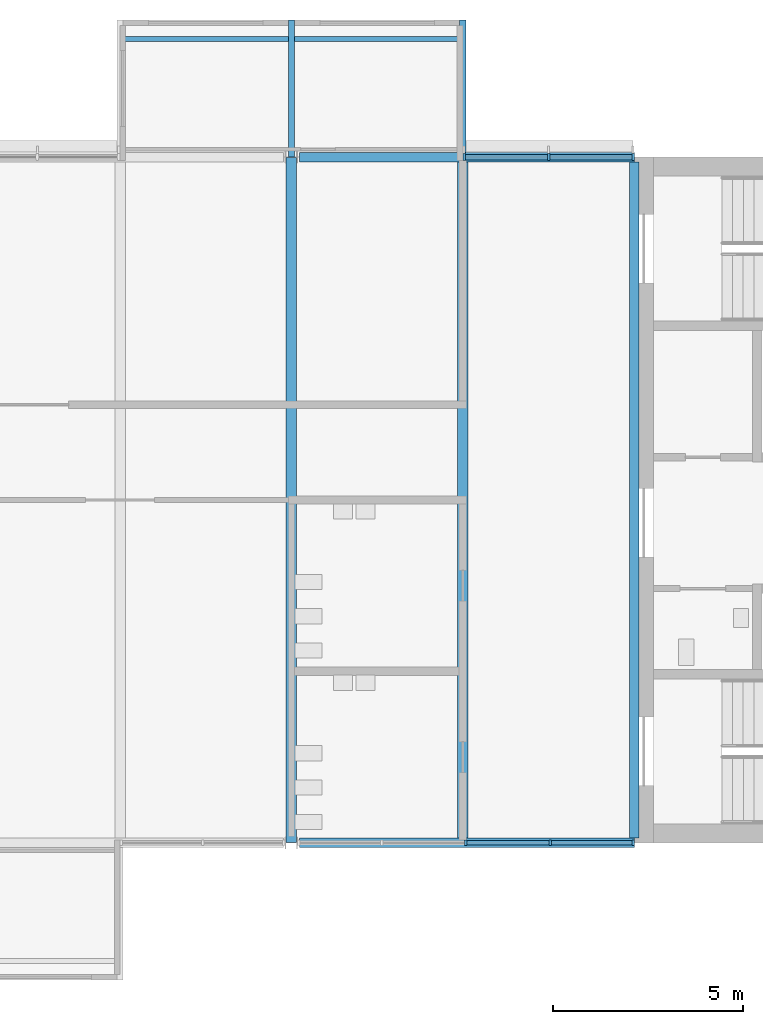
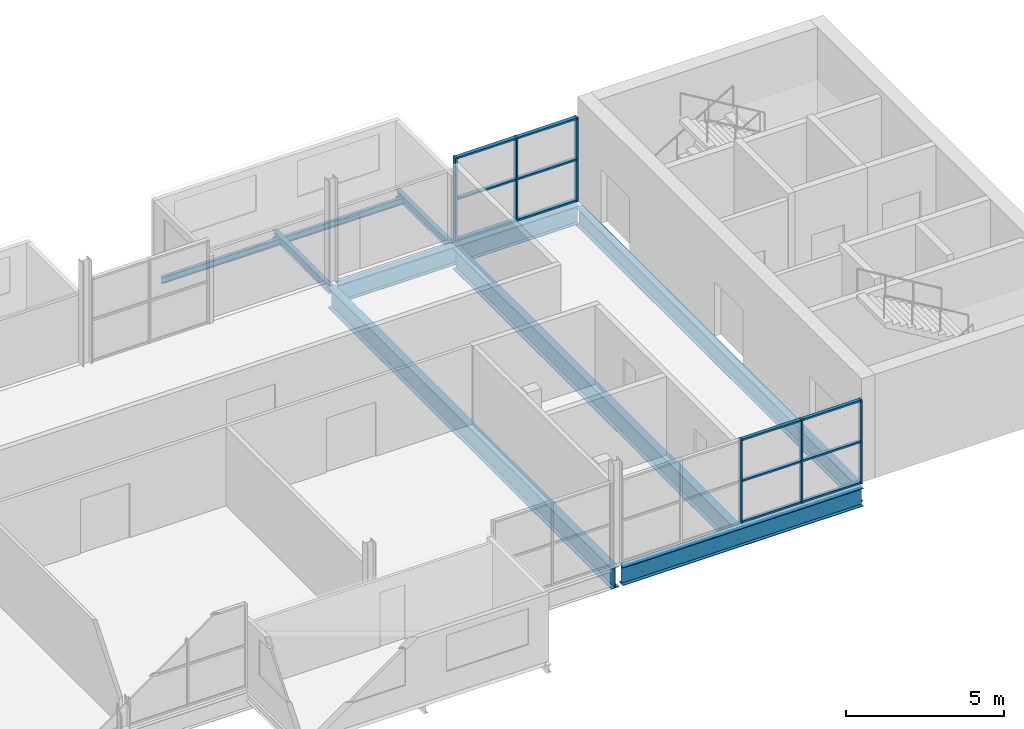
# One storey, part 3 of 10: 18 members, 9 beams, 2 elements without a shape of their own.
"""IFC4 building model written with IfcOpenShell, lengths in metres."""

from ifc_helpers import new_model, si_unit, direction, frame, origin, origin_2d, place, context, subcontext, project, spatial, rectangle, i_section, extrude, material, layer, layer_set, material_profile, profile_set, type_object, element, aggregate, save


model = new_model("IFC4")

# Units and contexts
model_context = context("Model", 3, precision=1e-05, world=origin(), true_north=direction((0.0, 1.0)))
body_context = subcontext(model_context, "Body", "Model", "MODEL_VIEW")
ifc_project = project(units=[si_unit("LENGTHUNIT", "METRE"), si_unit("AREAUNIT", "SQUARE_METRE"), si_unit("VOLUMEUNIT", "CUBIC_METRE"), si_unit("PLANEANGLEUNIT", "RADIAN"), si_unit("MASSUNIT", "GRAM", prefix="KILO")], contexts=[model_context])

# Site, building, storey
site_placement = place(None, origin())
site = spatial("IfcSite", under=ifc_project, at=site_placement, CompositionType="ELEMENT")
building_placement = place(site_placement, origin())
building = spatial("IfcBuilding", under=site, at=building_placement, Name="Corbel Yard City Hall", CompositionType="ELEMENT")
storey_placement = place(building_placement, frame((0.0, 0.0, 51.199951171875)))
storey = spatial("IfcBuildingStorey", under=building, at=storey_placement, Name="L12", CompositionType="ELEMENT", Elevation=51.199951171875)

# Beams
ifc_material_1 = material(Name="Steel Grade 350", Category="steel")
ifc_material_profile_1 = material_profile(ifc_material_1, i_section(OverallWidth=0.25, OverallDepth=0.699951171875, WebThickness=0.010009765625, FlangeThickness=0.02001953125, at=origin_2d()), Name="700WB130")
ifc_profile_set_1 = profile_set([ifc_material_profile_1], Name="Steel Grade 350")
beam_type_1 = type_object("IfcBeamType", Name="Edge beam 700WB130", PredefinedType="BEAM", material=ifc_profile_set_1)
for number, where, z_axis, x_axis, name in (
    (1, (36.20703125, 99.0, -0.5), (1.0, 0.0, 0.0), (0.0, 1.0, 0.0), "Edge beam 700WB130 EB9 L12tower"),
    (2, (36.20703125, 117.0, -0.5), (1.0, 0.0, 0.0), (0.0, 1.0, 0.0), "Edge beam 700WB130 EB9 L12tower"),
):
    element("IfcBeam", number, at=place(storey_placement, frame(where, z_axis=z_axis, x_axis=x_axis)), inside=storey, type_object=beam_type_1, Name=name, PredefinedType="BEAM", context=body_context, shape_type="SweptSolid", body=[
        extrude(i_section(OverallWidth=0.25, OverallDepth=0.699951171875, WebThickness=0.010009765625, FlangeThickness=0.02001953125, at=origin_2d()), origin(), (0.0, 0.0, 1.0), 8.79296875),
    ])
ifc_material_profile_2 = material_profile(ifc_material_1, i_section(OverallWidth=0.27490234375, OverallDepth=0.800048828125, WebThickness=0.010009765625, FlangeThickness=0.02001953125, at=origin_2d()), Name="800WB146")
ifc_profile_set_2 = profile_set([ifc_material_profile_2], Name="Steel Grade 350")
beam_type_2 = type_object("IfcBeamType", Name="Long-span beam 800WB146", PredefinedType="BEAM", material=ifc_profile_set_2)
beam_1_placement = place(storey_placement, frame((36.0, 99.012451171875, -0.550048828125), z_axis=(0.0, 1.0, 0.0), x_axis=(-1.0, 0.0, 0.0)))
element("IfcBeam", 3, at=beam_1_placement, inside=storey, type_object=beam_type_2, Name="Long-span beam 800WB146 SB8 L12tower", PredefinedType="BEAM", context=body_context, shape_type="SweptSolid", body=[
    extrude(i_section(OverallWidth=0.27490234375, OverallDepth=0.800048828125, WebThickness=0.010009765625, FlangeThickness=0.02001953125, at=origin_2d()), origin(), (0.0, 0.0, 1.0), 17.97509765625),
])
ifc_material_profile_3 = material_profile(ifc_material_1, i_section(OverallWidth=0.25, OverallDepth=0.7099609375, WebThickness=0.010009765625, FlangeThickness=0.02490234375, at=origin_2d()), Name="700WB150")
ifc_profile_set_3 = profile_set([ifc_material_profile_3], Name="Steel Grade 350")
beam_type_3 = type_object("IfcBeamType", Name="Long-span edge beam 700WB150", PredefinedType="BEAM", material=ifc_profile_set_3)
beam_2_placement = place(storey_placement, frame((45.0, 99.125, -0.5048828125), z_axis=(0.0, 1.0, 0.0), x_axis=(-1.0, 0.0, 0.0)))
element("IfcBeam", 4, at=beam_2_placement, inside=storey, type_object=beam_type_3, Name="Long-span edge beam 700WB150 EB8 L12tower", PredefinedType="BEAM", context=body_context, shape_type="SweptSolid", body=[
    extrude(i_section(OverallWidth=0.25, OverallDepth=0.7099609375, WebThickness=0.010009765625, FlangeThickness=0.02490234375, at=origin_2d()), origin(), (0.0, 0.0, 1.0), 17.75),
])
ifc_material_profile_4 = material_profile(ifc_material_1, i_section(OverallWidth=0.27490234375, OverallDepth=0.800048828125, WebThickness=0.010009765625, FlangeThickness=0.02001953125, at=origin_2d()), Name="800WB146")
ifc_profile_set_4 = profile_set([ifc_material_profile_4], Name="Steel Grade 350")
beam_type_4 = type_object("IfcBeamType", Name="Long-span secondary beam 800WB146", PredefinedType="JOIST", material=ifc_profile_set_4)
beam_3_placement = place(storey_placement, frame((40.5, 99.125, -0.550048828125), z_axis=(0.0, 1.0, 0.0), x_axis=(-1.0, 0.0, 0.0)))
element("IfcBeam", 5, at=beam_3_placement, inside=storey, type_object=beam_type_4, Name="Long-span secondary beam 800WB146 SB7 L12tower", PredefinedType="JOIST", context=body_context, shape_type="SweptSolid", body=[
    extrude(i_section(OverallWidth=0.27490234375, OverallDepth=0.800048828125, WebThickness=0.010009765625, FlangeThickness=0.02001953125, at=origin_2d()), origin(), (0.0, 0.0, 1.0), 17.75),
])

# Curtain wall, members
ifc_material_2 = material(Name="Aluminium extrusion", Category="aluminium")
ifc_layer_1 = layer(ifc_material_2, 0.14990234375)
ifc_layer_set_1 = layer_set([ifc_layer_1], Name="Aluminium extrusion")
curtain_wall_type_1 = type_object("IfcCurtainWallType", Name="CW2", PredefinedType="USERDEFINED", material=ifc_layer_set_1)
curtain_wall_1_placement = place(storey_placement, origin())
curtain_wall_1 = element("IfcCurtainWall", 6, at=curtain_wall_1_placement, inside=storey, type_object=curtain_wall_type_1, Name="Curtain wall CW2 L12", ObjectType="CURTAIN WALL", PredefinedType="USERDEFINED")
ifc_material_profile_5 = material_profile(ifc_material_2, rectangle(XDim=0.14990234375, YDim=0.06494140625, at=origin_2d()), Name="150x65")
ifc_profile_set_5 = profile_set([ifc_material_profile_5], Name="Aluminium extrusion")
member_type_1 = type_object("IfcMemberType", Name="ML2", PredefinedType="MULLION", material=ifc_profile_set_5)
member_1_placement = place(storey_placement, frame((40.581787109375, 99.0, 0.0), z_axis=(0.0, 0.0, 1.0), x_axis=(0.0, 1.0, 0.0)))
member_1 = element("IfcMember", 7, at=member_1_placement, type_object=member_type_1, Name="CW2 mullion 3", PredefinedType="MULLION", context=body_context, shape_type="SweptSolid", body=[
    extrude(rectangle(XDim=0.14990234375, YDim=0.06494140625, at=origin_2d()), origin(), (0.0, 0.0, 1.0), 3.238037109375),
])
member_2_placement = place(storey_placement, frame((42.790771484375, 99.0, 0.0), z_axis=(0.0, 0.0, 1.0), x_axis=(0.0, 1.0, 0.0)))
member_2 = element("IfcMember", 8, at=member_2_placement, type_object=member_type_1, Name="CW2 mullion 4", PredefinedType="MULLION", context=body_context, shape_type="SweptSolid", body=[
    extrude(rectangle(XDim=0.14990234375, YDim=0.06494140625, at=origin_2d()), origin(), (0.0, 0.0, 1.0), 3.238037109375),
])
member_3_placement = place(storey_placement, frame((44.967529296875, 99.0, 0.0), z_axis=(0.0, 0.0, 1.0), x_axis=(0.0, 1.0, 0.0)))
member_3 = element("IfcMember", 9, at=member_3_placement, type_object=member_type_1, Name="CW2 mullion 5", PredefinedType="MULLION", context=body_context, shape_type="SweptSolid", body=[
    extrude(rectangle(XDim=0.14990234375, YDim=0.06494140625, at=origin_2d()), origin(), (0.0, 0.0, 1.0), 3.238037109375),
])

ifc_layer_2 = layer(ifc_material_2, 0.179931640625)
ifc_layer_set_2 = layer_set([ifc_layer_2], Name="Aluminium extrusion")
curtain_wall_type_2 = type_object("IfcCurtainWallType", Name="CW6", PredefinedType="USERDEFINED", material=ifc_layer_set_2)
curtain_wall_2_placement = place(storey_placement, origin())
curtain_wall_2 = element("IfcCurtainWall", 10, at=curtain_wall_2_placement, inside=storey, type_object=curtain_wall_type_2, Name="Curtain wall CW6 L12", ObjectType="CURTAIN WALL", PredefinedType="USERDEFINED")
ifc_material_profile_6 = material_profile(ifc_material_2, rectangle(XDim=0.179931640625, YDim=0.06494140625, at=origin_2d()), Name="180x65")
ifc_profile_set_6 = profile_set([ifc_material_profile_6], Name="Aluminium extrusion")
member_type_2 = type_object("IfcMemberType", Name="ML6", PredefinedType="MULLION", material=ifc_profile_set_6)
member_4_placement = place(storey_placement, frame((40.532470703125, 117.0, 0.0), z_axis=(0.0, 0.0, 1.0), x_axis=(0.0, 1.0, 0.0)))
member_4 = element("IfcMember", 11, at=member_4_placement, type_object=member_type_2, Name="CW6 mullion 1", PredefinedType="MULLION", context=body_context, shape_type="SweptSolid", body=[
    extrude(rectangle(XDim=0.179931640625, YDim=0.06494140625, at=origin_2d()), origin(), (0.0, 0.0, 1.0), 3.238037109375),
])
member_5_placement = place(storey_placement, frame((42.75, 117.0, 0.0), z_axis=(0.0, 0.0, 1.0), x_axis=(0.0, 1.0, 0.0)))
member_5 = element("IfcMember", 12, at=member_5_placement, type_object=member_type_2, Name="CW6 mullion 2", PredefinedType="MULLION", context=body_context, shape_type="SweptSolid", body=[
    extrude(rectangle(XDim=0.179931640625, YDim=0.06494140625, at=origin_2d()), origin(), (0.0, 0.0, 1.0), 3.238037109375),
])
member_6_placement = place(storey_placement, frame((44.967529296875, 117.0, 0.0), z_axis=(0.0, 0.0, 1.0), x_axis=(0.0, 1.0, 0.0)))
member_6 = element("IfcMember", 13, at=member_6_placement, type_object=member_type_2, Name="CW6 mullion 3", PredefinedType="MULLION", context=body_context, shape_type="SweptSolid", body=[
    extrude(rectangle(XDim=0.179931640625, YDim=0.06494140625, at=origin_2d()), origin(), (0.0, 0.0, 1.0), 3.238037109375),
])

# Beams
ifc_material_3 = material(Name="Steel Grade 300 (300 MPa yield)", Category="steel")
ifc_material_profile_7 = material_profile(ifc_material_3, i_section(OverallWidth=0.166015625, OverallDepth=0.306884765625, WebThickness=0.006591796875, FlangeThickness=0.01171875, at=origin_2d()), Name="310UB46.2")
ifc_profile_set_7 = profile_set([ifc_material_profile_7], Name="Steel Grade 300 (300 MPa yield)")
beam_type_5 = type_object("IfcBeamType", Name="Pod stub beam 310UB46.2", PredefinedType="BEAM", material=ifc_profile_set_7)
beam_4_placement = place(storey_placement, frame((36.0, 117.0078125, -0.303466796875), z_axis=(0.0, 1.0, 0.0), x_axis=(-1.0, 0.0, 0.0)))
element("IfcBeam", 14, at=beam_4_placement, inside=storey, type_object=beam_type_5, Name="Pod stub 310UB46.2 CB1 L12", PredefinedType="BEAM", context=body_context, shape_type="SweptSolid", body=[
    extrude(i_section(OverallWidth=0.166015625, OverallDepth=0.306884765625, WebThickness=0.006591796875, FlangeThickness=0.01171875, at=origin_2d()), origin(), (0.0, 0.0, 1.0), 3.59228515625),
])
beam_5_placement = place(storey_placement, frame((40.5, 117.125, -0.303466796875), z_axis=(0.0, 1.0, 0.0), x_axis=(-1.0, 0.0, 0.0)))
element("IfcBeam", 15, at=beam_5_placement, inside=storey, type_object=beam_type_5, Name="Pod stub 310UB46.2 CB1 L12", PredefinedType="BEAM", context=body_context, shape_type="SweptSolid", body=[
    extrude(i_section(OverallWidth=0.166015625, OverallDepth=0.306884765625, WebThickness=0.006591796875, FlangeThickness=0.01171875, at=origin_2d()), origin(), (0.0, 0.0, 1.0), 3.47509765625),
])
ifc_material_profile_8 = material_profile(ifc_material_3, i_section(OverallWidth=0.1240234375, OverallDepth=0.248046875, WebThickness=0.0048828125, FlangeThickness=0.008056640625, at=origin_2d()), Name="250UB25.7")
ifc_profile_set_8 = profile_set([ifc_material_profile_8], Name="Steel Grade 300 (300 MPa yield)")
beam_type_6 = type_object("IfcBeamType", Name="Pod tip beam", PredefinedType="BEAM", material=ifc_profile_set_8)
for number, where, z_axis, x_axis, name in (
    (16, (31.5830078125, 120.10009765625, -0.27392578125), (1.0, 0.0, 0.0), (0.0, 1.0, 0.0), "Pod tip beam"),
    (17, (36.0830078125, 120.10009765625, -0.27392578125), (1.0, 0.0, 0.0), (0.0, 1.0, 0.0), "Pod tip beam"),
):
    element("IfcBeam", number, at=place(storey_placement, frame(where, z_axis=z_axis, x_axis=x_axis)), inside=storey, type_object=beam_type_6, Name=name, PredefinedType="BEAM", context=body_context, shape_type="SweptSolid", body=[
        extrude(i_section(OverallWidth=0.1240234375, OverallDepth=0.248046875, WebThickness=0.0048828125, FlangeThickness=0.008056640625, at=origin_2d()), origin(), (0.0, 0.0, 1.0), 4.333984375),
    ])

# Member
ifc_material_profile_9 = material_profile(ifc_material_2, rectangle(XDim=0.1201171875, YDim=0.06494140625, at=origin_2d()), Name="120x65")
ifc_profile_set_9 = profile_set([ifc_material_profile_9], Name="Aluminium extrusion")
member_type_3 = type_object("IfcMemberType", Name="TR2", PredefinedType="USERDEFINED", material=ifc_profile_set_9)
member_7_placement = place(storey_placement, frame((40.6142578125, 99.0, 0.032470703125), z_axis=(1.0, 0.0, 0.0), x_axis=(0.0, 1.0, 0.0)))
member_7 = element("IfcMember", 18, at=member_7_placement, type_object=member_type_3, Name="CW2 transom 3.1", ObjectType="TRANSOM", PredefinedType="USERDEFINED", context=body_context, shape_type="SweptSolid", body=[
    extrude(rectangle(XDim=0.1201171875, YDim=0.06494140625, at=origin_2d()), origin(), (0.0, 0.0, 1.0), 2.14404296875),
])

member_8_placement = place(storey_placement, frame((40.6142578125, 99.0, 1.619140625), z_axis=(1.0, 0.0, 0.0), x_axis=(0.0, 1.0, 0.0)))
member_8 = element("IfcMember", 19, at=member_8_placement, type_object=member_type_3, Name="CW2 transom 3.2", ObjectType="TRANSOM", PredefinedType="USERDEFINED", context=body_context, shape_type="SweptSolid", body=[
    extrude(rectangle(XDim=0.1201171875, YDim=0.06494140625, at=origin_2d()), origin(), (0.0, 0.0, 1.0), 2.14404296875),
])

member_9_placement = place(storey_placement, frame((40.6142578125, 99.0, 3.20556640625), z_axis=(1.0, 0.0, 0.0), x_axis=(0.0, 1.0, 0.0)))
member_9 = element("IfcMember", 20, at=member_9_placement, type_object=member_type_3, Name="CW2 transom 3.3", ObjectType="TRANSOM", PredefinedType="USERDEFINED", context=body_context, shape_type="SweptSolid", body=[
    extrude(rectangle(XDim=0.1201171875, YDim=0.06494140625, at=origin_2d()), origin(), (0.0, 0.0, 1.0), 2.14404296875),
])

member_10_placement = place(storey_placement, frame((42.823486328125, 99.0, 0.032470703125), z_axis=(1.0, 0.0, 0.0), x_axis=(0.0, 1.0, 0.0)))
member_10 = element("IfcMember", 21, at=member_10_placement, type_object=member_type_3, Name="CW2 transom 4.1", ObjectType="TRANSOM", PredefinedType="USERDEFINED", context=body_context, shape_type="SweptSolid", body=[
    extrude(rectangle(XDim=0.1201171875, YDim=0.06494140625, at=origin_2d()), origin(), (0.0, 0.0, 1.0), 2.111572265625),
])

member_11_placement = place(storey_placement, frame((42.823486328125, 99.0, 1.619140625), z_axis=(1.0, 0.0, 0.0), x_axis=(0.0, 1.0, 0.0)))
member_11 = element("IfcMember", 22, at=member_11_placement, type_object=member_type_3, Name="CW2 transom 4.2", ObjectType="TRANSOM", PredefinedType="USERDEFINED", context=body_context, shape_type="SweptSolid", body=[
    extrude(rectangle(XDim=0.1201171875, YDim=0.06494140625, at=origin_2d()), origin(), (0.0, 0.0, 1.0), 2.111572265625),
])

member_12_placement = place(storey_placement, frame((42.823486328125, 99.0, 3.20556640625), z_axis=(1.0, 0.0, 0.0), x_axis=(0.0, 1.0, 0.0)))
member_12 = element("IfcMember", 23, at=member_12_placement, type_object=member_type_3, Name="CW2 transom 4.3", ObjectType="TRANSOM", PredefinedType="USERDEFINED", context=body_context, shape_type="SweptSolid", body=[
    extrude(rectangle(XDim=0.1201171875, YDim=0.06494140625, at=origin_2d()), origin(), (0.0, 0.0, 1.0), 2.111572265625),
])

aggregate(curtain_wall_1, [member_1, member_2, member_3, member_7, member_8, member_9, member_10, member_11, member_12])

ifc_material_profile_10 = material_profile(ifc_material_2, rectangle(XDim=0.139892578125, YDim=0.06494140625, at=origin_2d()), Name="140x65")
ifc_profile_set_10 = profile_set([ifc_material_profile_10], Name="Aluminium extrusion")
member_type_4 = type_object("IfcMemberType", Name="TR6", PredefinedType="USERDEFINED", material=ifc_profile_set_10)
member_13_placement = place(storey_placement, frame((40.56494140625, 117.0, 0.032470703125), z_axis=(1.0, 0.0, 0.0), x_axis=(0.0, 1.0, 0.0)))
member_13 = element("IfcMember", 24, at=member_13_placement, type_object=member_type_4, Name="CW6 transom 1.1", ObjectType="TRANSOM", PredefinedType="USERDEFINED", context=body_context, shape_type="SweptSolid", body=[
    extrude(rectangle(XDim=0.139892578125, YDim=0.06494140625, at=origin_2d()), origin(), (0.0, 0.0, 1.0), 2.152587890625),
])

member_14_placement = place(storey_placement, frame((40.56494140625, 117.0, 1.619140625), z_axis=(1.0, 0.0, 0.0), x_axis=(0.0, 1.0, 0.0)))
member_14 = element("IfcMember", 25, at=member_14_placement, type_object=member_type_4, Name="CW6 transom 1.2", ObjectType="TRANSOM", PredefinedType="USERDEFINED", context=body_context, shape_type="SweptSolid", body=[
    extrude(rectangle(XDim=0.139892578125, YDim=0.06494140625, at=origin_2d()), origin(), (0.0, 0.0, 1.0), 2.152587890625),
])

member_15_placement = place(storey_placement, frame((40.56494140625, 117.0, 3.20556640625), z_axis=(1.0, 0.0, 0.0), x_axis=(0.0, 1.0, 0.0)))
member_15 = element("IfcMember", 26, at=member_15_placement, type_object=member_type_4, Name="CW6 transom 1.3", ObjectType="TRANSOM", PredefinedType="USERDEFINED", context=body_context, shape_type="SweptSolid", body=[
    extrude(rectangle(XDim=0.139892578125, YDim=0.06494140625, at=origin_2d()), origin(), (0.0, 0.0, 1.0), 2.152587890625),
])

member_16_placement = place(storey_placement, frame((42.782470703125, 117.0, 0.032470703125), z_axis=(1.0, 0.0, 0.0), x_axis=(0.0, 1.0, 0.0)))
member_16 = element("IfcMember", 27, at=member_16_placement, type_object=member_type_4, Name="CW6 transom 2.1", ObjectType="TRANSOM", PredefinedType="USERDEFINED", context=body_context, shape_type="SweptSolid", body=[
    extrude(rectangle(XDim=0.139892578125, YDim=0.06494140625, at=origin_2d()), origin(), (0.0, 0.0, 1.0), 2.152587890625),
])

member_17_placement = place(storey_placement, frame((42.782470703125, 117.0, 1.619140625), z_axis=(1.0, 0.0, 0.0), x_axis=(0.0, 1.0, 0.0)))
member_17 = element("IfcMember", 28, at=member_17_placement, type_object=member_type_4, Name="CW6 transom 2.2", ObjectType="TRANSOM", PredefinedType="USERDEFINED", context=body_context, shape_type="SweptSolid", body=[
    extrude(rectangle(XDim=0.139892578125, YDim=0.06494140625, at=origin_2d()), origin(), (0.0, 0.0, 1.0), 2.152587890625),
])

member_18_placement = place(storey_placement, frame((42.782470703125, 117.0, 3.20556640625), z_axis=(1.0, 0.0, 0.0), x_axis=(0.0, 1.0, 0.0)))
member_18 = element("IfcMember", 29, at=member_18_placement, type_object=member_type_4, Name="CW6 transom 2.3", ObjectType="TRANSOM", PredefinedType="USERDEFINED", context=body_context, shape_type="SweptSolid", body=[
    extrude(rectangle(XDim=0.139892578125, YDim=0.06494140625, at=origin_2d()), origin(), (0.0, 0.0, 1.0), 2.152587890625),
])

aggregate(curtain_wall_2, [member_4, member_5, member_6, member_13, member_14, member_15, member_16, member_17, member_18])

save(model, "model.ifc")
